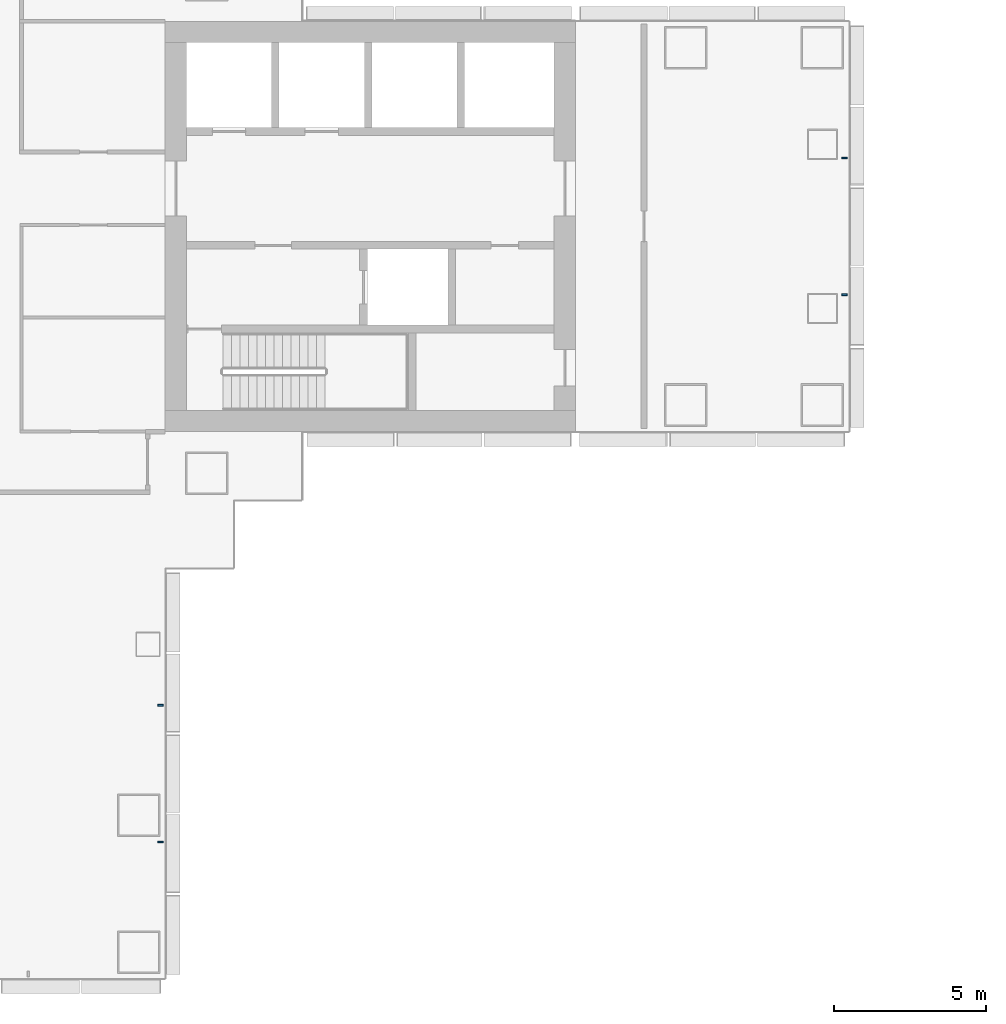
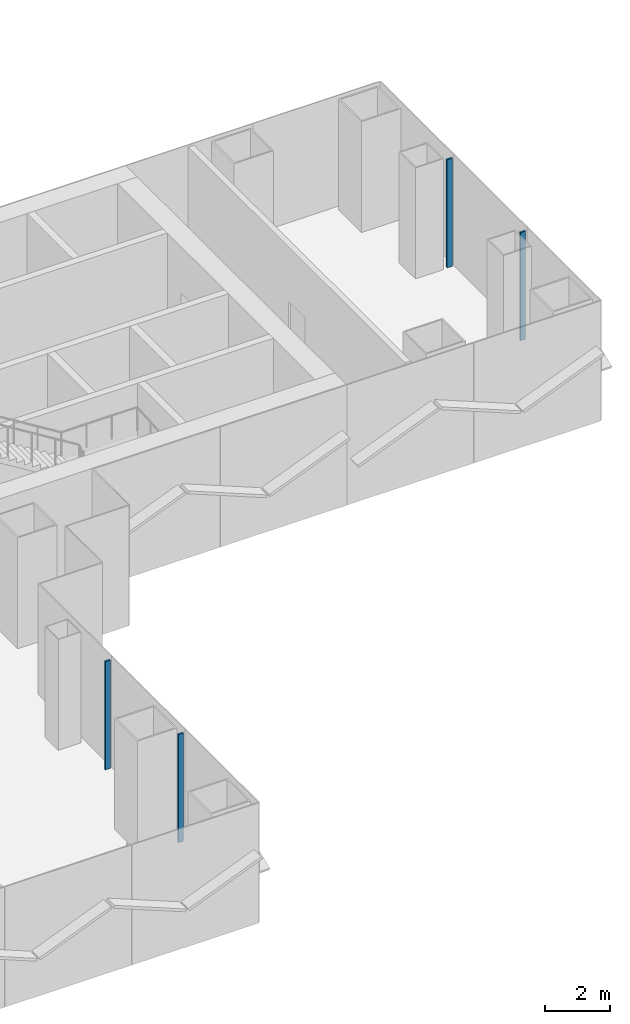
# One storey, part 5 of 22: 4 members, 2 elements without a shape of their own.
"""IFC4 building model written with IfcOpenShell, lengths in metres."""

from ifc_helpers import new_model, si_unit, direction, frame, origin, origin_2d, place, context, subcontext, project, spatial, rectangle, extrude, material, layer, layer_set, material_profile, profile_set, type_object, element, aggregate, save


model = new_model("IFC4")

# Units and contexts
model_context = context("Model", 3, precision=1e-05, world=origin(), true_north=direction((0.0, 1.0)))
body_context = subcontext(model_context, "Body", "Model", "MODEL_VIEW")
ifc_project = project(units=[si_unit("LENGTHUNIT", "METRE"), si_unit("AREAUNIT", "SQUARE_METRE"), si_unit("VOLUMEUNIT", "CUBIC_METRE"), si_unit("PLANEANGLEUNIT", "RADIAN"), si_unit("MASSUNIT", "GRAM", prefix="KILO")], contexts=[model_context])

# Site, building, storey
site_placement = place(None, origin())
site = spatial("IfcSite", under=ifc_project, at=site_placement, CompositionType="ELEMENT")
building_placement = place(site_placement, origin())
building = spatial("IfcBuilding", under=site, at=building_placement, Name="Shamsa Quay Exchange Towers", CompositionType="ELEMENT")
storey_placement = place(building_placement, frame((0.0, 0.0, 37.5)))
storey = spatial("IfcBuildingStorey", under=building, at=storey_placement, Name="L07", CompositionType="ELEMENT", Elevation=37.5)

# Curtain wall, members
ifc_material = material(Name="Aluminium EN AW-6063 T6, black anodised", Category="aluminium")
ifc_layer = layer(ifc_material, 0.280029296875)
ifc_layer_set = layer_set([ifc_layer], Name="CW-1 UNITISED VISION GLASS")
curtain_wall_type = type_object("IfcCurtainWallType", Name="CW-1 UNITISED VISION GLASS", PredefinedType="NOTDEFINED", material=ifc_layer_set)
curtain_wall_1_placement = place(storey_placement, origin())
curtain_wall_1 = element("IfcCurtainWall", 1, at=curtain_wall_1_placement, inside=storey, type_object=curtain_wall_type, Name="CW1 T1-FLK-V-E L07", PredefinedType="NOTDEFINED")
ifc_material_profile = material_profile(ifc_material, rectangle(XDim=0.179931640625, YDim=0.06005859375, at=origin_2d()), Name="MU60x180")
ifc_profile_set = profile_set([ifc_material_profile], Name="Aluminium EN AW-6063 T6, black anodised")
member_type = type_object("IfcMemberType", Name="CW1 MULLION 60x180", PredefinedType="MULLION", material=ifc_profile_set)
member_1_placement = place(storey_placement, frame((-27.14990234375, -20.25, 0.0), z_axis=(0.0, 0.0, 1.0), x_axis=(-1.0, 0.0, 0.0)))
member_1 = element("IfcMember", 2, at=member_1_placement, type_object=member_type, Name="CW1 mullion", PredefinedType="MULLION", context=body_context, shape_type="SweptSolid", body=[
    extrude(rectangle(XDim=0.179931640625, YDim=0.06005859375, at=origin_2d()), origin(), (0.0, 0.0, 1.0), 4.050048828125),
])
member_2_placement = place(storey_placement, frame((-27.14990234375, -15.75, 0.0), z_axis=(0.0, 0.0, 1.0), x_axis=(-1.0, 0.0, 0.0)))
member_2 = element("IfcMember", 3, at=member_2_placement, type_object=member_type, Name="CW1 mullion", PredefinedType="MULLION", context=body_context, shape_type="SweptSolid", body=[
    extrude(rectangle(XDim=0.179931640625, YDim=0.06005859375, at=origin_2d()), origin(), (0.0, 0.0, 1.0), 4.050048828125),
])
aggregate(curtain_wall_1, [member_1, member_2])

curtain_wall_2_placement = place(storey_placement, origin())
curtain_wall_2 = element("IfcCurtainWall", 4, at=curtain_wall_2_placement, inside=storey, type_object=curtain_wall_type, Name="CW1 T1-END-U+ L07", PredefinedType="NOTDEFINED")
member_3_placement = place(storey_placement, frame((-4.64990234375, -2.25, 0.0), z_axis=(0.0, 0.0, 1.0), x_axis=(-1.0, 0.0, 0.0)))
member_3 = element("IfcMember", 5, at=member_3_placement, type_object=member_type, Name="CW1 mullion", PredefinedType="MULLION", context=body_context, shape_type="SweptSolid", body=[
    extrude(rectangle(XDim=0.179931640625, YDim=0.06005859375, at=origin_2d()), origin(), (0.0, 0.0, 1.0), 4.050048828125),
])
member_4_placement = place(storey_placement, frame((-4.64990234375, 2.25, 0.0), z_axis=(0.0, 0.0, 1.0), x_axis=(-1.0, 0.0, 0.0)))
member_4 = element("IfcMember", 6, at=member_4_placement, type_object=member_type, Name="CW1 mullion", PredefinedType="MULLION", context=body_context, shape_type="SweptSolid", body=[
    extrude(rectangle(XDim=0.179931640625, YDim=0.06005859375, at=origin_2d()), origin(), (0.0, 0.0, 1.0), 4.050048828125),
])
aggregate(curtain_wall_2, [member_3, member_4])

save(model, "model.ifc")
